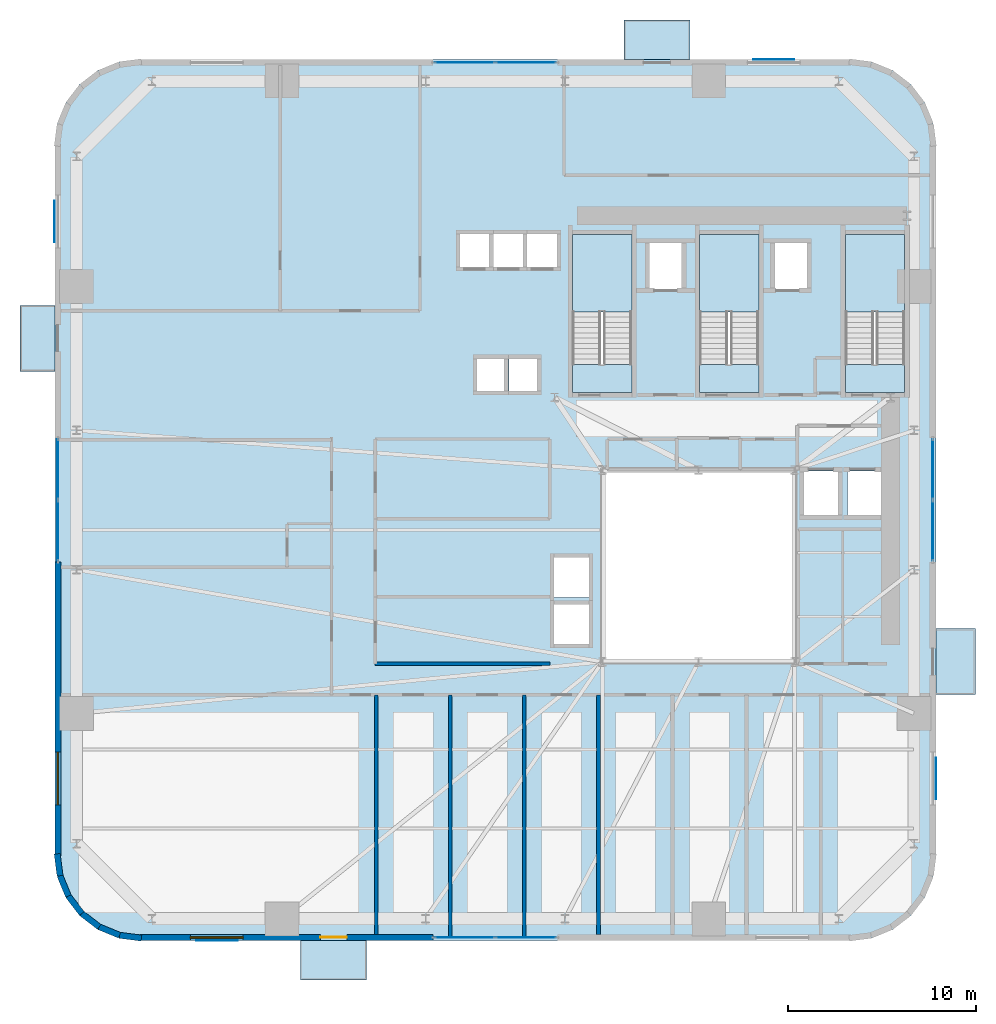
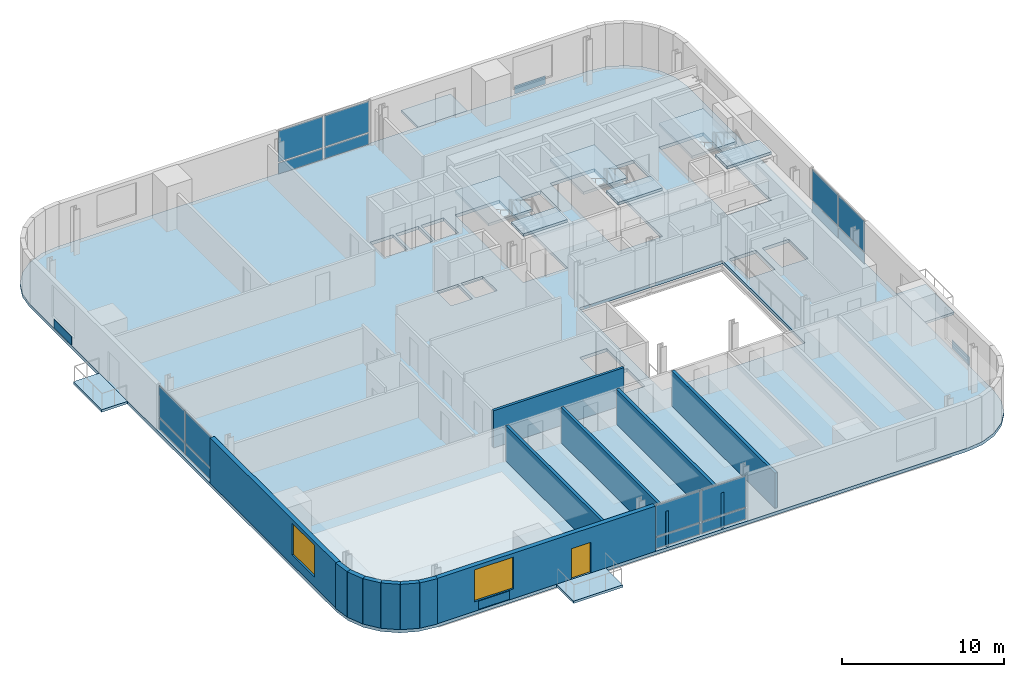
# One storey, part 5 of 13: 20 plates, 13 walls, 11 slabs, 2 windows, 1 door, 3 openings, 7 elements without a shape of their own.
"""IFC4 building model written with IfcOpenShell, lengths in metres."""

from ifc_helpers import new_model, si_unit, direction, frame, frame_2d, origin, origin_2d, place, context, subcontext, project, spatial, polyline, rectangle, outline, extrude, source, transform, mapped, material, layer, layer_set, type_object, element, fill, aggregate, save


model = new_model("IFC4")

# Units and contexts
model_context = context("Model", 3, precision=1e-05, world=origin(), true_north=direction((0.0, 1.0)))
body_context = subcontext(model_context, "Body", "Model", "MODEL_VIEW")
ifc_project = project(units=[si_unit("LENGTHUNIT", "METRE"), si_unit("AREAUNIT", "SQUARE_METRE"), si_unit("VOLUMEUNIT", "CUBIC_METRE"), si_unit("PLANEANGLEUNIT", "RADIAN"), si_unit("MASSUNIT", "GRAM", prefix="KILO")], contexts=[model_context])

# Site, building, storey
site_placement = place(None, origin())
site = spatial("IfcSite", under=ifc_project, at=site_placement, CompositionType="ELEMENT")
building_placement = place(site_placement, origin())
building = spatial("IfcBuilding", under=site, at=building_placement, Name="Vardaveli Station Tower", CompositionType="ELEMENT")
storey_placement = place(building_placement, frame((0.0, 0.0, 56.800048828125)))
storey = spatial("IfcBuildingStorey", under=building, at=storey_placement, Name="L14", CompositionType="ELEMENT", Elevation=56.800048828125)

# Stair, slabs
ifc_material_1 = material(Name="Concrete C40/50", Category="concrete")
stair_type = type_object("IfcStairType", Name="STR-CORE-1500", PredefinedType="HALF_TURN_STAIR", material=ifc_material_1)
stair_1_placement = place(storey_placement, origin())
stair_1 = element("IfcStair", 1, at=stair_1_placement, inside=storey, type_object=stair_type, Name="L14 ST-1", PredefinedType="HALF_TURN_STAIR")
ifc_layer_1 = layer(ifc_material_1, 0.199951171875, Name="Concrete C40/50")
ifc_layer_set_1 = layer_set([ifc_layer_1], Name="Concrete C40/50")
slab_type_1 = type_object("IfcSlabType", Name="SLB-LAND-200", PredefinedType="LANDING", material=ifc_layer_set_1)
slab_1_placement = place(storey_placement, frame((0.0, 0.0, 1.625)))
slab_1 = element("IfcSlab", 2, at=slab_1_placement, type_object=slab_type_1, Name="ST-1 landing 1", PredefinedType="LANDING", context=body_context, shape_type="SweptSolid", body=[
    extrude(outline(polyline([(32.75, 35.199951171875), (32.75, 39.300048828125), (29.60009765625, 39.300048828125), (29.60009765625, 35.199951171875), (32.75, 35.199951171875)])), origin(), (0.0, 0.0, 1.0), 0.199951171875),
])
slab_2_placement = place(storey_placement, frame((0.0, 0.0, 3.449951171875)))
slab_2 = element("IfcSlab", 3, at=slab_2_placement, type_object=slab_type_1, Name="ST-1 landing 2", PredefinedType="LANDING", context=body_context, shape_type="SweptSolid", body=[
    extrude(outline(polyline([(32.75, 30.89990234375), (32.75, 32.39990234375), (29.60009765625, 32.39990234375), (29.60009765625, 30.89990234375), (32.75, 30.89990234375)])), origin(), (0.0, 0.0, 1.0), 0.199951171875),
])
aggregate(stair_1, [slab_1, slab_2])

stair_2_placement = place(storey_placement, origin())
stair_2 = element("IfcStair", 4, at=stair_2_placement, inside=storey, type_object=stair_type, Name="L14 ST-2", PredefinedType="HALF_TURN_STAIR")
slab_3_placement = place(storey_placement, frame((0.0, 0.0, 1.625)))
slab_3 = element("IfcSlab", 5, at=slab_3_placement, type_object=slab_type_1, Name="ST-2 landing 1", PredefinedType="LANDING", context=body_context, shape_type="SweptSolid", body=[
    extrude(outline(polyline([(39.5, 35.199951171875), (39.5, 39.300048828125), (36.35009765625, 39.300048828125), (36.35009765625, 35.199951171875), (39.5, 35.199951171875)])), origin(), (0.0, 0.0, 1.0), 0.199951171875),
])
slab_4_placement = place(storey_placement, frame((0.0, 0.0, 3.449951171875)))
slab_4 = element("IfcSlab", 6, at=slab_4_placement, type_object=slab_type_1, Name="ST-2 landing 2", PredefinedType="LANDING", context=body_context, shape_type="SweptSolid", body=[
    extrude(outline(polyline([(39.5, 30.89990234375), (39.5, 32.39990234375), (36.35009765625, 32.39990234375), (36.35009765625, 30.89990234375), (39.5, 30.89990234375)])), origin(), (0.0, 0.0, 1.0), 0.199951171875),
])
aggregate(stair_2, [slab_3, slab_4])

stair_3_placement = place(storey_placement, origin())
stair_3 = element("IfcStair", 7, at=stair_3_placement, inside=storey, type_object=stair_type, Name="L14 ST-3", PredefinedType="HALF_TURN_STAIR")
slab_5_placement = place(storey_placement, frame((0.0, 0.0, 1.625)))
slab_5 = element("IfcSlab", 8, at=slab_5_placement, type_object=slab_type_1, Name="ST-3 landing 1", PredefinedType="LANDING", context=body_context, shape_type="SweptSolid", body=[
    extrude(outline(polyline([(47.25, 35.199951171875), (47.25, 39.300048828125), (44.10009765625, 39.300048828125), (44.10009765625, 35.199951171875), (47.25, 35.199951171875)])), origin(), (0.0, 0.0, 1.0), 0.199951171875),
])
slab_6_placement = place(storey_placement, frame((0.0, 0.0, 3.449951171875)))
slab_6 = element("IfcSlab", 9, at=slab_6_placement, type_object=slab_type_1, Name="ST-3 landing 2", PredefinedType="LANDING", context=body_context, shape_type="SweptSolid", body=[
    extrude(outline(polyline([(47.25, 30.89990234375), (47.25, 32.39990234375), (44.10009765625, 32.39990234375), (44.10009765625, 30.89990234375), (47.25, 30.89990234375)])), origin(), (0.0, 0.0, 1.0), 0.199951171875),
])
aggregate(stair_3, [slab_5, slab_6])

# Slabs
ifc_material_2 = material(Name="Precast concrete C45/55", Category="concrete")
ifc_layer_2 = layer(ifc_material_2, 0.179931640625, Name="Precast concrete C45/55")
ifc_layer_set_2 = layer_set([ifc_layer_2], Name="Precast concrete C45/55")
slab_type_2 = type_object("IfcSlabType", Name="SLB-LOGGIA-180", PredefinedType="FLOOR", material=ifc_layer_set_2)
slab_7_placement = place(storey_placement, frame((0.0, 0.0, -0.179931640625)))
element("IfcSlab", 10, at=slab_7_placement, inside=storey, type_object=slab_type_2, Name="LOG-L14-S", PredefinedType="FLOOR", context=body_context, shape_type="SweptSolid", body=[
    extrude(outline(polyline([(15.160400390625, -0.300048828125), (18.660400390625, -0.300048828125), (18.660400390625, 1.800048828125), (15.160400390625, 1.800048828125), (15.160400390625, -0.300048828125)])), origin(), (0.0, 0.0, 1.0), 0.179931640625),
])
slab_8_placement = place(storey_placement, frame((0.0, 0.0, -0.179931640625)))
element("IfcSlab", 11, at=slab_8_placement, inside=storey, type_object=slab_type_2, Name="LOG-L14-N", PredefinedType="FLOOR", context=body_context, shape_type="SweptSolid", body=[
    extrude(outline(polyline([(32.339599609375, 48.60009765625), (35.839599609375, 48.60009765625), (35.839599609375, 50.699951171875), (32.339599609375, 50.699951171875), (32.339599609375, 48.60009765625)])), origin(), (0.0, 0.0, 1.0), 0.179931640625),
])
slab_9_placement = place(storey_placement, frame((0.0, 0.0, -0.179931640625)))
element("IfcSlab", 12, at=slab_9_placement, inside=storey, type_object=slab_type_2, Name="LOG-L14-W", PredefinedType="FLOOR", context=body_context, shape_type="SweptSolid", body=[
    extrude(outline(polyline([(0.25, 32.03955078125), (2.10009765625, 32.03955078125), (2.10009765625, 35.53955078125), (0.25, 35.53955078125), (0.25, 32.03955078125)])), origin(), (0.0, 0.0, 1.0), 0.179931640625),
])
slab_10_placement = place(storey_placement, frame((0.0, 0.0, -0.179931640625)))
element("IfcSlab", 13, at=slab_10_placement, inside=storey, type_object=slab_type_2, Name="LOG-L14-E", PredefinedType="FLOOR", context=body_context, shape_type="SweptSolid", body=[
    extrude(outline(polyline([(48.89990234375, 14.8603515625), (51.0, 14.8603515625), (51.0, 18.3603515625), (48.89990234375, 18.3603515625), (48.89990234375, 14.8603515625)])), origin(), (0.0, 0.0, 1.0), 0.179931640625),
])
ifc_layer_3 = layer(ifc_material_1, 0.239990234375, Name="Concrete C40/50")
ifc_layer_set_3 = layer_set([ifc_layer_3], Name="Concrete C40/50")
slab_type_3 = type_object("IfcSlabType", Name="SLB-TOW-240", PredefinedType="FLOOR", material=ifc_layer_set_3)
slab_11_placement = place(storey_placement, frame((0.0, 0.0, -0.239990234375)))
element("IfcSlab", 14, at=slab_11_placement, inside=storey, type_object=slab_type_3, Name="SLB-L14-MAIN", PredefinedType="FLOOR", context=body_context, shape_type="SweptSolid", body=[
    extrude(outline(polyline([(2.10009765625, 6.300048828125), (2.25341796875, 5.13525390625), (2.702880859375, 4.050048828125), (3.41796875, 3.117919921875), (4.35009765625, 2.40283203125), (5.435302734375, 1.953369140625), (6.60009765625, 1.800048828125), (44.39990234375, 1.800048828125), (45.564697265625, 1.953369140625), (46.64990234375, 2.40283203125), (47.58203125, 3.117919921875), (48.297119140625, 4.050048828125), (48.74658203125, 5.13525390625), (48.89990234375, 6.300048828125), (48.89990234375, 44.10009765625), (48.74658203125, 45.2646484375), (48.297119140625, 46.35009765625), (47.58203125, 47.281982421875), (46.64990234375, 47.9970703125), (45.564697265625, 48.44677734375), (44.39990234375, 48.60009765625), (6.60009765625, 48.60009765625), (5.435302734375, 48.44677734375), (4.35009765625, 47.9970703125), (3.41796875, 47.281982421875), (2.702880859375, 46.35009765625), (2.25341796875, 45.2646484375), (2.10009765625, 44.10009765625), (2.10009765625, 6.300048828125)]), holes=[polyline([(31.199951171875, 16.60009765625), (41.39990234375, 16.60009765625), (41.39990234375, 26.800048828125), (31.199951171875, 26.800048828125), (31.199951171875, 16.60009765625)]), polyline([(32.75, 30.89990234375), (32.75, 39.300048828125), (29.60009765625, 39.300048828125), (29.60009765625, 30.89990234375), (32.75, 30.89990234375)]), polyline([(39.5, 30.89990234375), (39.5, 39.300048828125), (36.35009765625, 39.300048828125), (36.35009765625, 30.89990234375), (39.5, 30.89990234375)]), polyline([(47.25, 30.89990234375), (47.25, 39.300048828125), (44.10009765625, 39.300048828125), (44.10009765625, 30.89990234375), (47.25, 30.89990234375)]), polyline([(23.5849609375, 37.534912109375), (25.215087890625, 37.534912109375), (25.215087890625, 39.364990234375), (23.5849609375, 39.364990234375), (23.5849609375, 37.534912109375)]), polyline([(25.385009765625, 37.534912109375), (27.014892578125, 37.534912109375), (27.014892578125, 39.364990234375), (25.385009765625, 39.364990234375), (25.385009765625, 37.534912109375)]), polyline([(27.18505859375, 37.534912109375), (28.81494140625, 37.534912109375), (28.81494140625, 39.364990234375), (27.18505859375, 39.364990234375), (27.18505859375, 37.534912109375)]), polyline([(33.659912109375, 36.409912109375), (35.43994140625, 36.409912109375), (35.43994140625, 38.889892578125), (33.659912109375, 38.889892578125), (33.659912109375, 36.409912109375)]), polyline([(40.31005859375, 36.409912109375), (42.090087890625, 36.409912109375), (42.090087890625, 38.889892578125), (40.31005859375, 38.889892578125), (40.31005859375, 36.409912109375)]), polyline([(24.485107421875, 30.9599609375), (26.014892578125, 30.9599609375), (26.014892578125, 32.739990234375), (24.485107421875, 32.739990234375), (24.485107421875, 30.9599609375)]), polyline([(26.235107421875, 30.9599609375), (27.764892578125, 30.9599609375), (27.764892578125, 32.739990234375), (26.235107421875, 32.739990234375), (26.235107421875, 30.9599609375)]), polyline([(28.5849609375, 17.510009765625), (30.514892578125, 17.510009765625), (30.514892578125, 19.68994140625), (28.5849609375, 19.68994140625), (28.5849609375, 17.510009765625)]), polyline([(28.5849609375, 20.010009765625), (30.514892578125, 20.010009765625), (30.514892578125, 22.18994140625), (28.5849609375, 22.18994140625), (28.5849609375, 20.010009765625)]), polyline([(41.860107421875, 24.360107421875), (43.739990234375, 24.360107421875), (43.739990234375, 26.739990234375), (41.860107421875, 26.739990234375), (41.860107421875, 24.360107421875)]), polyline([(44.2099609375, 24.360107421875), (46.090087890625, 24.360107421875), (46.090087890625, 26.739990234375), (44.2099609375, 26.739990234375), (44.2099609375, 24.360107421875)])]), origin(), (0.0, 0.0, 1.0), 0.239990234375),
])

# Curtain wall, plates
ifc_material_3 = material(Name="Travertine stone and solar-control glass", Category="masonry")
curtain_wall_type = type_object("IfcCurtainWallType", Name="CW-SYS-2", PredefinedType="NOTDEFINED", material=ifc_material_3)
curtain_wall_1_placement = place(storey_placement, origin())
curtain_wall_1 = element("IfcCurtainWall", 15, at=curtain_wall_1_placement, inside=storey, type_object=curtain_wall_type, Name="CW-L14-S", PredefinedType="NOTDEFINED")
ifc_material_4 = material(Name="Double-glazed low-E solar-control glass", Category="glass")
ifc_layer_4 = layer(ifc_material_4, 0.035888671875, Name="Double-glazed low-E solar-control glass")
ifc_layer_set_4 = layer_set([ifc_layer_4], Name="Double-glazed low-E solar-control glass")
plate_type_1 = type_object("IfcPlateType", Name="CW-SYS-2-PAN", PredefinedType="CURTAIN_PANEL", material=ifc_layer_set_4)
shared_shape_1 = source(origin(), body_context, "Body", "SweptSolid", [
    extrude(rectangle(XDim=3.172607421875, YDim=0.035888671875, at=origin_2d()), origin(), (0.0, 0.0, 1.0), 0.822509765625),
])
plate_1_placement = place(storey_placement, frame((23.871337890625, 1.9599609375, 0.0849609375), z_axis=(0.0, 0.0, 1.0), x_axis=(1.0, 0.0, 0.0)))
plate_1 = element("IfcPlate", 16, at=plate_1_placement, type_object=plate_type_1, Name="CW-2 panel 1.1", PredefinedType="CURTAIN_PANEL", context=body_context, shape_type="MappedRepresentation", body=[
    mapped(shared_shape_1, transform((0.0, 0.0, 0.0), scale=1.0)),
])
plate_2_placement = place(storey_placement, frame((27.128662109375, 1.9599609375, 0.0849609375), z_axis=(0.0, 0.0, 1.0), x_axis=(1.0, 0.0, 0.0)))
plate_2 = element("IfcPlate", 17, at=plate_2_placement, type_object=plate_type_1, Name="CW-2 panel 2.1", PredefinedType="CURTAIN_PANEL", context=body_context, shape_type="MappedRepresentation", body=[
    mapped(shared_shape_1, transform((0.0, 0.0, 0.0), scale=1.0)),
])

curtain_wall_2_placement = place(storey_placement, origin())
curtain_wall_2 = element("IfcCurtainWall", 18, at=curtain_wall_2_placement, inside=storey, type_object=curtain_wall_type, Name="CW-L14-N", PredefinedType="NOTDEFINED")
plate_3_placement = place(storey_placement, frame((27.128662109375, 48.43994140625, 0.0849609375), z_axis=(0.0, 0.0, 1.0), x_axis=(-1.0, 0.0, 0.0)))
plate_3 = element("IfcPlate", 19, at=plate_3_placement, type_object=plate_type_1, Name="CW-2 panel 1.1", PredefinedType="CURTAIN_PANEL", context=body_context, shape_type="MappedRepresentation", body=[
    mapped(shared_shape_1, transform((0.0, 0.0, 0.0), scale=1.0)),
])
plate_4_placement = place(storey_placement, frame((23.871337890625, 48.43994140625, 0.0849609375), z_axis=(0.0, 0.0, 1.0), x_axis=(-1.0, 0.0, 0.0)))
plate_4 = element("IfcPlate", 20, at=plate_4_placement, type_object=plate_type_1, Name="CW-2 panel 2.1", PredefinedType="CURTAIN_PANEL", context=body_context, shape_type="MappedRepresentation", body=[
    mapped(shared_shape_1, transform((0.0, 0.0, 0.0), scale=1.0)),
])

curtain_wall_3_placement = place(storey_placement, origin())
curtain_wall_3 = element("IfcCurtainWall", 21, at=curtain_wall_3_placement, inside=storey, type_object=curtain_wall_type, Name="CW-L14-W", PredefinedType="NOTDEFINED")
plate_5_placement = place(storey_placement, frame((2.260009765625, 26.828857421875, 0.0849609375), z_axis=(0.0, 0.0, 1.0), x_axis=(0.0, -1.0, 0.0)))
plate_5 = element("IfcPlate", 22, at=plate_5_placement, type_object=plate_type_1, Name="CW-2 panel 1.1", PredefinedType="CURTAIN_PANEL", context=body_context, shape_type="MappedRepresentation", body=[
    mapped(shared_shape_1, transform((0.0, 0.0, 0.0), scale=1.0)),
])
plate_6_placement = place(storey_placement, frame((2.260009765625, 23.5712890625, 0.0849609375), z_axis=(0.0, 0.0, 1.0), x_axis=(0.0, -1.0, 0.0)))
plate_6 = element("IfcPlate", 23, at=plate_6_placement, type_object=plate_type_1, Name="CW-2 panel 2.1", PredefinedType="CURTAIN_PANEL", context=body_context, shape_type="MappedRepresentation", body=[
    mapped(shared_shape_1, transform((0.0, 0.0, 0.0), scale=1.0)),
])

curtain_wall_4_placement = place(storey_placement, origin())
curtain_wall_4 = element("IfcCurtainWall", 24, at=curtain_wall_4_placement, inside=storey, type_object=curtain_wall_type, Name="CW-L14-E", PredefinedType="NOTDEFINED")
plate_7_placement = place(storey_placement, frame((48.739990234375, 23.5712890625, 0.0849609375), z_axis=(0.0, 0.0, 1.0), x_axis=(0.0, 1.0, 0.0)))
plate_7 = element("IfcPlate", 25, at=plate_7_placement, type_object=plate_type_1, Name="CW-2 panel 1.1", PredefinedType="CURTAIN_PANEL", context=body_context, shape_type="MappedRepresentation", body=[
    mapped(shared_shape_1, transform((0.0, 0.0, 0.0), scale=1.0)),
])
plate_8_placement = place(storey_placement, frame((48.739990234375, 26.828857421875, 0.0849609375), z_axis=(0.0, 0.0, 1.0), x_axis=(0.0, 1.0, 0.0)))
plate_8 = element("IfcPlate", 26, at=plate_8_placement, type_object=plate_type_1, Name="CW-2 panel 2.1", PredefinedType="CURTAIN_PANEL", context=body_context, shape_type="MappedRepresentation", body=[
    mapped(shared_shape_1, transform((0.0, 0.0, 0.0), scale=1.0)),
])

# Plate
shared_shape_2 = source(origin(), body_context, "Body", "SweptSolid", [
    extrude(rectangle(XDim=3.172607421875, YDim=0.035888671875, at=origin_2d()), origin(), (0.0, 0.0, 1.0), 2.33251953125),
])
plate_9_placement = place(storey_placement, frame((23.871337890625, 1.9599609375, 0.992431640625), z_axis=(0.0, 0.0, 1.0), x_axis=(1.0, 0.0, 0.0)))
plate_9 = element("IfcPlate", 27, at=plate_9_placement, type_object=plate_type_1, Name="CW-2 panel 1.2", PredefinedType="CURTAIN_PANEL", context=body_context, shape_type="MappedRepresentation", body=[
    mapped(shared_shape_2, transform((0.0, 0.0, 0.0), scale=1.0)),
])

plate_10_placement = place(storey_placement, frame((27.128662109375, 1.9599609375, 0.992431640625), z_axis=(0.0, 0.0, 1.0), x_axis=(1.0, 0.0, 0.0)))
plate_10 = element("IfcPlate", 28, at=plate_10_placement, type_object=plate_type_1, Name="CW-2 panel 2.2", PredefinedType="CURTAIN_PANEL", context=body_context, shape_type="MappedRepresentation", body=[
    mapped(shared_shape_2, transform((0.0, 0.0, 0.0), scale=1.0)),
])

aggregate(curtain_wall_1, [plate_1, plate_9, plate_2, plate_10])

plate_11_placement = place(storey_placement, frame((27.128662109375, 48.43994140625, 0.992431640625), z_axis=(0.0, 0.0, 1.0), x_axis=(-1.0, 0.0, 0.0)))
plate_11 = element("IfcPlate", 29, at=plate_11_placement, type_object=plate_type_1, Name="CW-2 panel 1.2", PredefinedType="CURTAIN_PANEL", context=body_context, shape_type="MappedRepresentation", body=[
    mapped(shared_shape_2, transform((0.0, 0.0, 0.0), scale=1.0)),
])

plate_12_placement = place(storey_placement, frame((23.871337890625, 48.43994140625, 0.992431640625), z_axis=(0.0, 0.0, 1.0), x_axis=(-1.0, 0.0, 0.0)))
plate_12 = element("IfcPlate", 30, at=plate_12_placement, type_object=plate_type_1, Name="CW-2 panel 2.2", PredefinedType="CURTAIN_PANEL", context=body_context, shape_type="MappedRepresentation", body=[
    mapped(shared_shape_2, transform((0.0, 0.0, 0.0), scale=1.0)),
])

aggregate(curtain_wall_2, [plate_3, plate_11, plate_4, plate_12])

plate_13_placement = place(storey_placement, frame((2.260009765625, 26.828857421875, 0.992431640625), z_axis=(0.0, 0.0, 1.0), x_axis=(0.0, -1.0, 0.0)))
plate_13 = element("IfcPlate", 31, at=plate_13_placement, type_object=plate_type_1, Name="CW-2 panel 1.2", PredefinedType="CURTAIN_PANEL", context=body_context, shape_type="MappedRepresentation", body=[
    mapped(shared_shape_2, transform((0.0, 0.0, 0.0), scale=1.0)),
])

plate_14_placement = place(storey_placement, frame((2.260009765625, 23.5712890625, 0.992431640625), z_axis=(0.0, 0.0, 1.0), x_axis=(0.0, -1.0, 0.0)))
plate_14 = element("IfcPlate", 32, at=plate_14_placement, type_object=plate_type_1, Name="CW-2 panel 2.2", PredefinedType="CURTAIN_PANEL", context=body_context, shape_type="MappedRepresentation", body=[
    mapped(shared_shape_2, transform((0.0, 0.0, 0.0), scale=1.0)),
])

aggregate(curtain_wall_3, [plate_5, plate_13, plate_6, plate_14])

plate_15_placement = place(storey_placement, frame((48.739990234375, 23.5712890625, 0.992431640625), z_axis=(0.0, 0.0, 1.0), x_axis=(0.0, 1.0, 0.0)))
plate_15 = element("IfcPlate", 33, at=plate_15_placement, type_object=plate_type_1, Name="CW-2 panel 1.2", PredefinedType="CURTAIN_PANEL", context=body_context, shape_type="MappedRepresentation", body=[
    mapped(shared_shape_2, transform((0.0, 0.0, 0.0), scale=1.0)),
])

plate_16_placement = place(storey_placement, frame((48.739990234375, 26.828857421875, 0.992431640625), z_axis=(0.0, 0.0, 1.0), x_axis=(0.0, 1.0, 0.0)))
plate_16 = element("IfcPlate", 34, at=plate_16_placement, type_object=plate_type_1, Name="CW-2 panel 2.2", PredefinedType="CURTAIN_PANEL", context=body_context, shape_type="MappedRepresentation", body=[
    mapped(shared_shape_2, transform((0.0, 0.0, 0.0), scale=1.0)),
])

aggregate(curtain_wall_4, [plate_7, plate_15, plate_8, plate_16])

# Plates
ifc_material_5 = material(Name="Honed Caucasian travertine stone", Category="masonry")
ifc_layer_5 = layer(ifc_material_5, 0.034912109375, Name="Honed Caucasian travertine stone")
ifc_layer_set_5 = layer_set([ifc_layer_5], Name="Honed Caucasian travertine stone")
plate_type_2 = type_object("IfcPlateType", Name="PLT-TRAV-35", PredefinedType="SHEET", material=ifc_layer_set_5)
shared_shape_3 = source(origin(), body_context, "Body", "SweptSolid", [
    extrude(rectangle(XDim=2.199951171875, YDim=0.034912109375, at=origin_2d()), origin(), (0.0, 0.0, 1.0), 0.6201171875),
])
for number, where, z_axis, x_axis, name in (
    (35, (10.705078125, 1.79052734375, 0.06982421875), (0.0, 0.0, 1.0), (1.0, 0.0, 0.0), "PLT-TR-L14-S"),
    (36, (40.294921875, 48.609619140625, 0.06982421875), (0.0, 0.0, 1.0), (1.0, 0.0, 0.0), "PLT-TR-L14-N"),
    (37, (2.090576171875, 39.9951171875, 0.06982421875), (0.0, 0.0, 1.0), (0.0, 1.0, 0.0), "PLT-TR-L14-W"),
    (38, (48.909423828125, 10.405029296875, 0.06982421875), (0.0, 0.0, 1.0), (0.0, 1.0, 0.0), "PLT-TR-L14-E"),
):
    element("IfcPlate", number, at=place(storey_placement, frame(where, z_axis=z_axis, x_axis=x_axis)), inside=storey, type_object=plate_type_2, Name=name, PredefinedType="SHEET", context=body_context, shape_type="MappedRepresentation", body=[
        mapped(shared_shape_3, transform((0.0, 0.0, 0.0), scale=1.0)),
    ])

# Wall, openings, door, window
ifc_layer_6 = layer(ifc_material_2, 0.320068359375, Name="Precast concrete C45/55")
ifc_layer_set_6 = layer_set([ifc_layer_6], Name="Precast concrete C45/55")
wall_type_1 = type_object("IfcWallType", Name="WAL-EXT-STONE-320", PredefinedType="SOLIDWALL", material=ifc_layer_set_6)
shared_shape_4 = source(origin(), body_context, "Body", "SweptSolid", [
    extrude(rectangle(XDim=15.599853515625, YDim=0.320068359375, at=frame_2d((7.7998046875, 0.0))), origin(), (0.0, 0.0, 1.0), 3.409912109375),
])
wall_1_placement = place(storey_placement, frame((6.60009765625, 1.9599609375, 0.0), z_axis=(0.0, 0.0, 1.0), x_axis=(1.0, 0.0, 0.0)))
wall_1 = element("IfcWall", 39, at=wall_1_placement, inside=storey, type_object=wall_type_1, Name="EW-L14-S1", PredefinedType="SOLIDWALL", context=body_context, shape_type="MappedRepresentation", body=[
    mapped(shared_shape_4, transform((0.0, 0.0, 0.0), scale=1.0)),
])
shared_shape_5 = source(origin(), body_context, "Body", "SweptSolid", [
    extrude(rectangle(XDim=1.39990234375, YDim=2.300048828125, at=frame_2d((0.699951171875, 1.14990234375))), frame((0.0, 0.169921875, 0.0), z_axis=(0.0, -1.0, 0.0), x_axis=(1.0, 0.0, 0.0)), (0.0, 0.0, 1.0), 0.340087890625),
])
opening_1_placement = place(wall_1_placement, frame((9.6103515625, 0.0, 0.0)))
opening_1 = element("IfcOpeningElement", 40, at=opening_1_placement, cuts=wall_1, Name="Opening D-09", PredefinedType="OPENING", context=body_context, shape_type="MappedRepresentation", body=[
    mapped(shared_shape_5, transform((0.0, 0.0, 0.0), scale=1.0)),
])
shared_shape_6 = source(origin(), body_context, "Body", "SweptSolid", [
    extrude(rectangle(XDim=2.800048828125, YDim=2.39990234375, at=frame_2d((1.39990234375, 1.199951171875))), frame((0.0, 0.169921875, 0.0), z_axis=(0.0, -1.0, 0.0), x_axis=(1.0, 0.0, 0.0)), (0.0, 0.0, 1.0), 0.340087890625),
])
opening_2_placement = place(wall_1_placement, frame((2.705078125, 0.0, 0.719970703125)))
opening_2 = element("IfcOpeningElement", 41, at=opening_2_placement, cuts=wall_1, Name="Opening W-04", PredefinedType="OPENING", context=body_context, shape_type="MappedRepresentation", body=[
    mapped(shared_shape_6, transform((0.0, 0.0, 0.0), scale=1.0)),
])
ifc_material_6 = material(Name="Thermally broken aluminium glass", Category="aluminium")
door_type = type_object("IfcDoorType", Name="DR-LOG-1400x2300", OperationType="DOUBLE_DOOR_SLIDING", PredefinedType="DOOR", material=ifc_material_6)
shared_shape_7 = source(origin(), body_context, "Body", "SweptSolid", [
    extrude(rectangle(XDim=1.39990234375, YDim=2.300048828125, at=frame_2d((0.699951171875, 1.14990234375))), frame((0.0, 0.02490234375, 0.0), z_axis=(0.0, -1.0, 0.0), x_axis=(1.0, 0.0, 0.0)), (0.0, 0.0, 1.0), 0.050048828125),
])
door_placement = place(opening_1_placement, frame((1.39990234375, 0.0, 0.0), z_axis=(0.0, 0.0, 1.0), x_axis=(-1.0, 0.0, 0.0)))
door = element("IfcDoor", 42, at=door_placement, inside=storey, type_object=door_type, Name="DLG-L14-S", OperationType="DOUBLE_DOOR_SLIDING", OverallHeight=2.300048828125, OverallWidth=1.39990234375, PredefinedType="DOOR", context=body_context, shape_type="MappedRepresentation", body=[
    mapped(shared_shape_7, transform((0.0, 0.0, 0.0), scale=1.0)),
])
fill(opening_1, door)
ifc_material_7 = material(Name="Low-E solar-control glass", Category="glass")
window_type = type_object("IfcWindowType", Name="WIN-SUITE-2800x2400", PartitioningType="SINGLE_PANEL", PredefinedType="WINDOW", material=ifc_material_7)
shared_shape_8 = source(origin(), body_context, "Body", "SweptSolid", [
    extrude(rectangle(XDim=2.800048828125, YDim=2.39990234375, at=frame_2d((1.39990234375, 1.199951171875))), frame((0.0, 0.030029296875, 0.0), z_axis=(0.0, -1.0, 0.0), x_axis=(1.0, 0.0, 0.0)), (0.0, 0.0, 1.0), 0.06005859375),
])
window_1_placement = place(opening_2_placement, origin())
window_1 = element("IfcWindow", 43, at=window_1_placement, inside=storey, type_object=window_type, Name="WN-L14-S1", OverallHeight=2.39990234375, OverallWidth=2.800048828125, PartitioningType="SINGLE_PANEL", PredefinedType="WINDOW", context=body_context, shape_type="MappedRepresentation", body=[
    mapped(shared_shape_8, transform((0.0, 0.0, 0.0), scale=1.0)),
])
fill(opening_2, window_1)

# Wall, opening, window
wall_2_placement = place(storey_placement, frame((2.260009765625, 21.89990234375, 0.0), z_axis=(0.0, 0.0, 1.0), x_axis=(0.0, -1.0, 0.0)))
wall_2 = element("IfcWall", 44, at=wall_2_placement, inside=storey, type_object=wall_type_1, Name="EW-L14-W2", PredefinedType="SOLIDWALL", context=body_context, shape_type="MappedRepresentation", body=[
    mapped(shared_shape_4, transform((0.0, 0.0, 0.0), scale=1.0)),
])
opening_3_placement = place(wall_2_placement, frame((10.094970703125, 0.0, 0.719970703125)))
opening_3 = element("IfcOpeningElement", 45, at=opening_3_placement, cuts=wall_2, Name="Opening W-04", PredefinedType="OPENING", context=body_context, shape_type="MappedRepresentation", body=[
    mapped(shared_shape_6, transform((0.0, 0.0, 0.0), scale=1.0)),
])
window_2_placement = place(opening_3_placement, origin())
window_2 = element("IfcWindow", 46, at=window_2_placement, inside=storey, type_object=window_type, Name="WN-L14-W2", OverallHeight=2.39990234375, OverallWidth=2.800048828125, PartitioningType="SINGLE_PANEL", PredefinedType="WINDOW", context=body_context, shape_type="MappedRepresentation", body=[
    mapped(shared_shape_8, transform((0.0, 0.0, 0.0), scale=1.0)),
])
fill(opening_3, window_2)

# Walls
shared_shape_9 = source(origin(), body_context, "Body", "SweptSolid", [
    extrude(rectangle(XDim=1.170654296875, YDim=0.320068359375, at=frame_2d((0.58544921875, 0.0))), origin(), (0.0, 0.0, 1.0), 3.409912109375),
])
wall_3_placement = place(storey_placement, frame((2.224365234375, 6.400634765625, 0.0), z_axis=(0.0, 0.0, 1.0), x_axis=(0.128269133229, -0.991739395941, 0.0)))
element("IfcWall", 47, at=wall_3_placement, inside=storey, type_object=wall_type_1, Name="EW-L14-CR1-1", PredefinedType="SOLIDWALL", context=body_context, shape_type="MappedRepresentation", body=[
    mapped(shared_shape_9, transform((0.0, 0.0, 0.0), scale=1.0)),
])
shared_shape_10 = source(origin(), body_context, "Body", "SweptSolid", [
    extrude(rectangle(XDim=1.1689453125, YDim=0.320068359375, at=frame_2d((0.58447265625, 0.0))), origin(), (0.0, 0.0, 1.0), 3.409912109375),
])
for number, where, z_axis, x_axis, name in (
    (48, (2.37451171875, 5.23974609375, 0.0), (0.0, 0.0, 1.0), (0.381127904695, -0.924522320046, 0.0), "EW-L14-CR1-2"),
    (49, (2.820068359375, 4.158935546875, 0.0), (0.0, 0.0, 1.0), (0.608387696831, -0.793639975269, 0.0), "EW-L14-CR1-3"),
):
    element("IfcWall", number, at=place(storey_placement, frame(where, z_axis=z_axis, x_axis=x_axis)), inside=storey, type_object=wall_type_1, Name=name, PredefinedType="SOLIDWALL", context=body_context, shape_type="MappedRepresentation", body=[
        mapped(shared_shape_10, transform((0.0, 0.0, 0.0), scale=1.0)),
    ])
shared_shape_11 = source(origin(), body_context, "Body", "SweptSolid", [
    extrude(rectangle(XDim=1.168701171875, YDim=0.320068359375, at=frame_2d((0.58447265625, 0.0))), origin(), (0.0, 0.0, 1.0), 3.409912109375),
])
wall_4_placement = place(storey_placement, frame((3.53125, 3.231201171875, 0.0), z_axis=(0.0, 0.0, 1.0), x_axis=(0.793663520347, -0.608356981114, 0.0)))
element("IfcWall", 50, at=wall_4_placement, inside=storey, type_object=wall_type_1, Name="EW-L14-CR1-4", PredefinedType="SOLIDWALL", context=body_context, shape_type="MappedRepresentation", body=[
    mapped(shared_shape_11, transform((0.0, 0.0, 0.0), scale=1.0)),
])
shared_shape_12 = source(origin(), body_context, "Body", "SweptSolid", [
    extrude(rectangle(XDim=1.16943359375, YDim=0.320068359375, at=frame_2d((0.584716796875, 0.0))), origin(), (0.0, 0.0, 1.0), 3.409912109375),
])
wall_5_placement = place(storey_placement, frame((4.458740234375, 2.520263671875, 0.0), z_axis=(0.0, 0.0, 1.0), x_axis=(0.924479075121, -0.381232789334, 0.0)))
element("IfcWall", 51, at=wall_5_placement, inside=storey, type_object=wall_type_1, Name="EW-L14-CR1-5", PredefinedType="SOLIDWALL", context=body_context, shape_type="MappedRepresentation", body=[
    mapped(shared_shape_12, transform((0.0, 0.0, 0.0), scale=1.0)),
])
shared_shape_13 = source(origin(), body_context, "Body", "SweptSolid", [
    extrude(rectangle(XDim=1.170166015625, YDim=0.320068359375, at=frame_2d((0.5849609375, 0.0))), origin(), (0.0, 0.0, 1.0), 3.409912109375),
])
wall_6_placement = place(storey_placement, frame((5.539794921875, 2.074462890625, 0.0), z_axis=(0.0, 0.0, 1.0), x_axis=(0.991762485493, -0.128090485085, 0.0)))
element("IfcWall", 52, at=wall_6_placement, inside=storey, type_object=wall_type_1, Name="EW-L14-CR1-6", PredefinedType="SOLIDWALL", context=body_context, shape_type="MappedRepresentation", body=[
    mapped(shared_shape_13, transform((0.0, 0.0, 0.0), scale=1.0)),
])
ifc_material_8 = material(Name="Fire-rated gypsum stud partition")
ifc_layer_7 = layer(ifc_material_8, 0.179931640625, Name="Fire-rated gypsum stud partition")
ifc_layer_set_7 = layer_set([ifc_layer_7], Name="Fire-rated gypsum stud partition")
wall_type_2 = type_object("IfcWallType", Name="WAL-CORR-180", PredefinedType="PARTITIONING", material=ifc_layer_set_7)
shared_shape_14 = source(origin(), body_context, "Body", "SweptSolid", [
    extrude(rectangle(XDim=9.27978515625, YDim=0.179931640625, at=frame_2d((4.639892578125, 0.0))), origin(), (0.0, 0.0, 1.0), 2.802001953125),
])
wall_7_placement = place(storey_placement, frame((19.1201171875, 16.5, 0.0), z_axis=(0.0, 0.0, 1.0), x_axis=(1.0, 0.0, 0.0)))
element("IfcWall", 53, at=wall_7_placement, inside=storey, type_object=wall_type_2, Name="W-L14-ATWA-S", PredefinedType="PARTITIONING", context=body_context, shape_type="MappedRepresentation", body=[
    mapped(shared_shape_14, transform((0.0, 0.0, 0.0), scale=1.0)),
])
ifc_material_9 = material(Name="Acoustic twin-stud gypsum partition")
ifc_layer_8 = layer(ifc_material_9, 0.199951171875, Name="Acoustic twin-stud gypsum partition")
ifc_layer_set_8 = layer_set([ifc_layer_8], Name="Acoustic twin-stud gypsum partition")
wall_type_3 = type_object("IfcWallType", Name="WAL-PARTY-200", PredefinedType="PARTITIONING", material=ifc_layer_set_8)
shared_shape_15 = source(origin(), body_context, "Body", "SweptSolid", [
    extrude(rectangle(XDim=12.72802734375, YDim=0.199951171875, at=frame_2d((6.364013671875, 0.0))), origin(), (0.0, 0.0, 1.0), 2.65185546875),
])
for number, where, z_axis, x_axis, name in (
    (54, (19.169921875, 2.1220703125, 0.0), (0.0, 0.0, 1.0), (0.0, 1.0, 0.0), "W-L14-PS1"),
    (55, (30.97900390625, 2.1220703125, 0.0), (0.0, 0.0, 1.0), (0.0, 1.0, 0.0), "W-L14-PS4"),
):
    element("IfcWall", number, at=place(storey_placement, frame(where, z_axis=z_axis, x_axis=x_axis)), inside=storey, type_object=wall_type_3, Name=name, PredefinedType="PARTITIONING", context=body_context, shape_type="MappedRepresentation", body=[
        mapped(shared_shape_15, transform((0.0, 0.0, 0.0), scale=1.0)),
    ])
shared_shape_16 = source(origin(), body_context, "Body", "SweptSolid", [
    extrude(rectangle(XDim=12.920166015625, YDim=0.199951171875, at=frame_2d((6.4599609375, 0.0))), origin(), (0.0, 0.0, 1.0), 2.65185546875),
])
for number, where, z_axis, x_axis, name in (
    (56, (23.10595703125, 1.929931640625, 0.0), (0.0, 0.0, 1.0), (0.0, 1.0, 0.0), "W-L14-PS2"),
    (57, (27.04296875, 1.929931640625, 0.0), (0.0, 0.0, 1.0), (0.0, 1.0, 0.0), "W-L14-PS3"),
):
    element("IfcWall", number, at=place(storey_placement, frame(where, z_axis=z_axis, x_axis=x_axis)), inside=storey, type_object=wall_type_3, Name=name, PredefinedType="PARTITIONING", context=body_context, shape_type="MappedRepresentation", body=[
        mapped(shared_shape_16, transform((0.0, 0.0, 0.0), scale=1.0)),
    ])

save(model, "model.ifc")
